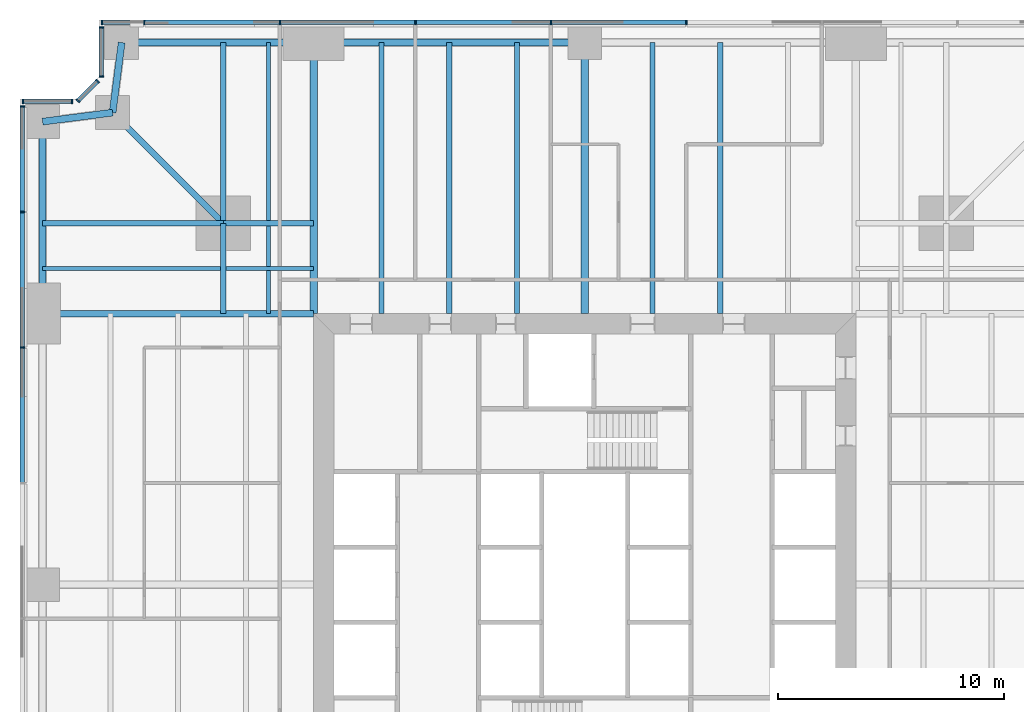
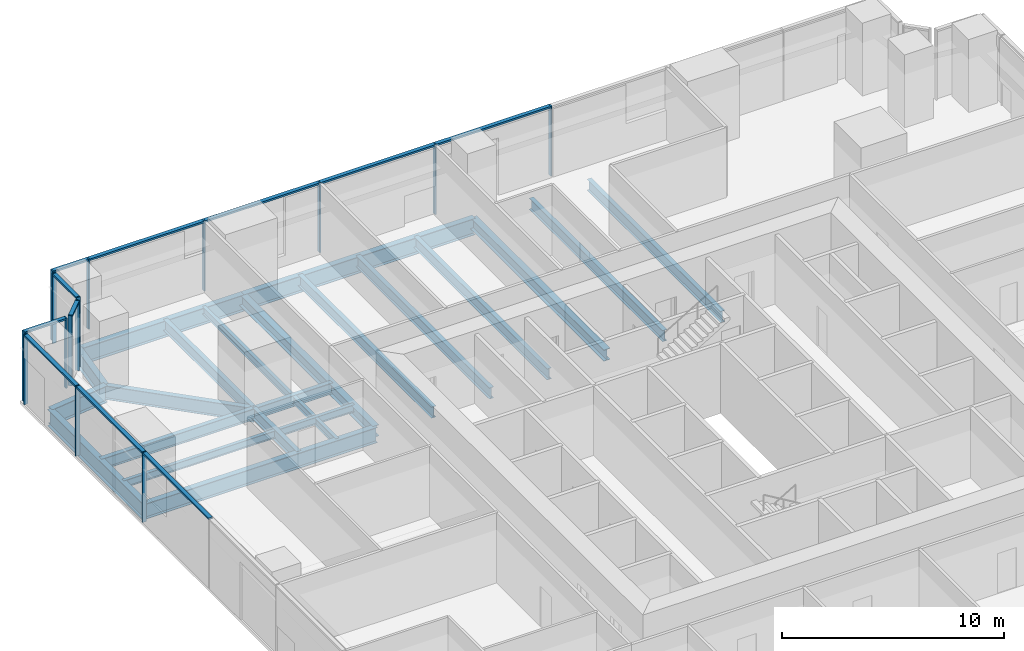
# One storey, part 6 of 14: 26 members, 23 beams, 5 elements without a shape of their own.
"""IFC4 building model written with IfcOpenShell, lengths in metres."""

from ifc_helpers import new_model, si_unit, direction, frame, origin, origin_2d, place, context, subcontext, project, spatial, rectangle, i_section, extrude, material, material_profile, profile_set, type_object, element, aggregate, save


model = new_model("IFC4")

# Units and contexts
model_context = context("Model", 3, precision=1e-05, world=origin(), true_north=direction((0.0, 1.0)))
body_context = subcontext(model_context, "Body", "Model", "MODEL_VIEW")
ifc_project = project(units=[si_unit("LENGTHUNIT", "METRE"), si_unit("AREAUNIT", "SQUARE_METRE"), si_unit("VOLUMEUNIT", "CUBIC_METRE"), si_unit("PLANEANGLEUNIT", "RADIAN"), si_unit("MASSUNIT", "GRAM", prefix="KILO")], contexts=[model_context])

# Site, building, storey
site_placement = place(None, origin())
site = spatial("IfcSite", under=ifc_project, at=site_placement, CompositionType="ELEMENT")
building_placement = place(site_placement, origin())
building = spatial("IfcBuilding", under=site, at=building_placement, Name="Fenwick Lantern Interchange", CompositionType="ELEMENT")
storey_placement = place(building_placement, frame((0.0, 0.0, 59.0)))
storey = spatial("IfcBuildingStorey", under=building, at=storey_placement, Name="L13", CompositionType="ELEMENT", Elevation=59.0)

# Beams
ifc_material_1 = material(Name="Steel ASTM A992 Grade 50", Category="steel")
ifc_material_profile_1 = material_profile(ifc_material_1, i_section(OverallWidth=0.3046875, OverallDepth=0.911865234375, WebThickness=0.015869140625, FlangeThickness=0.02392578125, at=origin_2d()), Name="W36X150")
ifc_profile_set_1 = profile_set([ifc_material_profile_1], Name="Steel ASTM A992 Grade 50")
beam_type_1 = type_object("IfcBeamType", Name="EDGE BEAM W36X150", PredefinedType="SPANDREL", material=ifc_profile_set_1)
beam_1_placement = place(storey_placement, frame((25.0, 49.0, -0.60595703125), z_axis=(-1.0, 0.0, 0.0), x_axis=(0.0, -1.0, 0.0)))
element("IfcBeam", 1, at=beam_1_placement, inside=storey, type_object=beam_type_1, Name="L13/FR/N/EB3", PredefinedType="SPANDREL", context=body_context, shape_type="SweptSolid", body=[
    extrude(i_section(OverallWidth=0.3046875, OverallDepth=0.911865234375, WebThickness=0.015869140625, FlangeThickness=0.02392578125, at=origin_2d()), origin(), (0.0, 0.0, 1.0), 12.0),
])
beam_2_placement = place(storey_placement, frame((13.0, 49.0, -0.60595703125), z_axis=(-1.0, 0.0, 0.0), x_axis=(0.0, -1.0, 0.0)))
element("IfcBeam", 2, at=beam_2_placement, inside=storey, type_object=beam_type_1, Name="L13/FR/N/EB4", PredefinedType="SPANDREL", context=body_context, shape_type="SweptSolid", body=[
    extrude(i_section(OverallWidth=0.3046875, OverallDepth=0.911865234375, WebThickness=0.015869140625, FlangeThickness=0.02392578125, at=origin_2d()), origin(), (0.0, 0.0, 1.0), 8.5),
])
for number, where, z_axis, x_axis, name in (
    (3, (4.5, 49.0, -0.60595703125), (-0.127936641807, -0.991782342897, 0.0), (0.991782342897, -0.127936641807, 0.0), "L13/FR/N/EBR1"),
    (4, (4.10009765625, 45.89990234375, -0.60595703125), (-0.991782342897, -0.127936641807, 0.0), (0.127936641807, -0.991782342897, 0.0), "L13/FR/N/EBR2"),
):
    element("IfcBeam", number, at=place(storey_placement, frame(where, z_axis=z_axis, x_axis=x_axis)), inside=storey, type_object=beam_type_1, Name=name, PredefinedType="SPANDREL", context=body_context, shape_type="SweptSolid", body=[
        extrude(i_section(OverallWidth=0.3046875, OverallDepth=0.911865234375, WebThickness=0.015869140625, FlangeThickness=0.02392578125, at=origin_2d()), origin(), (0.0, 0.0, 1.0), 3.125732421875),
    ])
beam_3_placement = place(storey_placement, frame((1.0, 45.5, -0.60595703125), z_axis=(0.0, -1.0, 0.0), x_axis=(1.0, 0.0, 0.0)))
element("IfcBeam", 5, at=beam_3_placement, inside=storey, type_object=beam_type_1, Name="L13/FR/W/EB1", PredefinedType="SPANDREL", context=body_context, shape_type="SweptSolid", body=[
    extrude(i_section(OverallWidth=0.3046875, OverallDepth=0.911865234375, WebThickness=0.015869140625, FlangeThickness=0.02392578125, at=origin_2d()), origin(), (0.0, 0.0, 1.0), 8.5),
])
ifc_material_profile_2 = material_profile(ifc_material_1, i_section(OverallWidth=0.22900390625, OverallDepth=0.612060546875, WebThickness=0.011962890625, FlangeThickness=0.01953125, at=origin_2d()), Name="W24X84")
ifc_profile_set_2 = profile_set([ifc_material_profile_2], Name="Steel ASTM A992 Grade 50")
beam_type_2 = type_object("IfcBeamType", Name="FLOOR BEAM W24X84", PredefinedType="BEAM", material=ifc_profile_set_2)
for number, where, z_axis, x_axis, name in (
    (6, (31.0, 49.0, -0.4560546875), (0.0, -1.0, 0.0), (1.0, 0.0, 0.0), "L13/FR/N/R03"),
    (7, (28.0, 49.0, -0.4560546875), (0.0, -1.0, 0.0), (1.0, 0.0, 0.0), "L13/FR/N/R04"),
    (8, (22.0, 49.0, -0.4560546875), (0.0, -1.0, 0.0), (1.0, 0.0, 0.0), "L13/FR/N/R06"),
    (9, (19.0, 49.0, -0.4560546875), (0.0, -1.0, 0.0), (1.0, 0.0, 0.0), "L13/FR/N/R07"),
    (10, (16.0, 49.0, -0.4560546875), (0.0, -1.0, 0.0), (1.0, 0.0, 0.0), "L13/FR/N/R08"),
):
    element("IfcBeam", number, at=place(storey_placement, frame(where, z_axis=z_axis, x_axis=x_axis)), inside=storey, type_object=beam_type_2, Name=name, PredefinedType="BEAM", context=body_context, shape_type="SweptSolid", body=[
        extrude(i_section(OverallWidth=0.22900390625, OverallDepth=0.612060546875, WebThickness=0.011962890625, FlangeThickness=0.01953125, at=origin_2d()), origin(), (0.0, 0.0, 1.0), 12.0),
    ])
ifc_material_profile_3 = material_profile(ifc_material_1, i_section(OverallWidth=0.177734375, OverallDepth=0.406494140625, WebThickness=0.0078125, FlangeThickness=0.012939453125, at=origin_2d()), Name="W16X40")
ifc_profile_set_3 = profile_set([ifc_material_profile_3], Name="Steel ASTM A992 Grade 50")
beam_type_3 = type_object("IfcBeamType", Name="INFILL BEAM W16X40", PredefinedType="JOIST", material=ifc_profile_set_3)
beam_4_placement = place(storey_placement, frame((1.0, 39.0, -0.353271484375), z_axis=(1.0, 0.0, 0.0), x_axis=(0.0, 1.0, 0.0)))
element("IfcBeam", 11, at=beam_4_placement, inside=storey, type_object=beam_type_3, Name="L13/FR/W/J1", PredefinedType="JOIST", context=body_context, shape_type="SweptSolid", body=[
    extrude(i_section(OverallWidth=0.177734375, OverallDepth=0.406494140625, WebThickness=0.0078125, FlangeThickness=0.012939453125, at=origin_2d()), origin(), (0.0, 0.0, 1.0), 7.885498046875),
])
beam_5_placement = place(storey_placement, frame((9.114501953125, 39.0, -0.353271484375), z_axis=(1.0, 0.0, 0.0), x_axis=(0.0, 1.0, 0.0)))
element("IfcBeam", 12, at=beam_5_placement, inside=storey, type_object=beam_type_3, Name="L13/FR/W/J2", PredefinedType="JOIST", context=body_context, shape_type="SweptSolid", body=[
    extrude(i_section(OverallWidth=0.177734375, OverallDepth=0.406494140625, WebThickness=0.0078125, FlangeThickness=0.012939453125, at=origin_2d()), origin(), (0.0, 0.0, 1.0), 3.885498046875),
])
beam_6_placement = place(storey_placement, frame((11.0, 49.0, -0.353271484375), z_axis=(0.0, -1.0, 0.0), x_axis=(1.0, 0.0, 0.0)))
element("IfcBeam", 13, at=beam_6_placement, inside=storey, type_object=beam_type_3, Name="L13/FR/W/J3", PredefinedType="JOIST", context=body_context, shape_type="SweptSolid", body=[
    extrude(i_section(OverallWidth=0.177734375, OverallDepth=0.406494140625, WebThickness=0.0078125, FlangeThickness=0.012939453125, at=origin_2d()), origin(), (0.0, 0.0, 1.0), 7.885498046875),
])
beam_7_placement = place(storey_placement, frame((11.0, 40.885498046875, -0.353271484375), z_axis=(0.0, -1.0, 0.0), x_axis=(1.0, 0.0, 0.0)))
element("IfcBeam", 14, at=beam_7_placement, inside=storey, type_object=beam_type_3, Name="L13/FR/W/J4", PredefinedType="JOIST", context=body_context, shape_type="SweptSolid", body=[
    extrude(i_section(OverallWidth=0.177734375, OverallDepth=0.406494140625, WebThickness=0.0078125, FlangeThickness=0.012939453125, at=origin_2d()), origin(), (0.0, 0.0, 1.0), 1.796630859375),
])
beam_8_placement = place(storey_placement, frame((11.0, 38.9111328125, -0.353271484375), z_axis=(0.0, -1.0, 0.0), x_axis=(1.0, 0.0, 0.0)))
element("IfcBeam", 15, at=beam_8_placement, inside=storey, type_object=beam_type_3, Name="L13/FR/W/J5", PredefinedType="JOIST", context=body_context, shape_type="SweptSolid", body=[
    extrude(i_section(OverallWidth=0.177734375, OverallDepth=0.406494140625, WebThickness=0.0078125, FlangeThickness=0.012939453125, at=origin_2d()), origin(), (0.0, 0.0, 1.0), 1.9111328125),
])
ifc_material_profile_4 = material_profile(ifc_material_1, i_section(OverallWidth=0.22900390625, OverallDepth=0.612060546875, WebThickness=0.011962890625, FlangeThickness=0.01953125, at=origin_2d()), Name="W24X84")
ifc_profile_set_4 = profile_set([ifc_material_profile_4], Name="Steel ASTM A992 Grade 50")
beam_type_4 = type_object("IfcBeamType", Name="MEGA COLUMN BEAM W24X84", PredefinedType="BEAM", material=ifc_profile_set_4)
for number, where, z_axis, x_axis, name in (
    (16, (9.0, 41.0, -0.4560546875), (-1.0, 0.0, 0.0), (0.0, -1.0, 0.0), "L13/FR/W/MB1"),
    (17, (9.0, 41.0, -0.4560546875), (0.0, 1.0, 0.0), (-1.0, 0.0, 0.0), "L13/FR/W/MB2"),
):
    element("IfcBeam", number, at=place(storey_placement, frame(where, z_axis=z_axis, x_axis=x_axis)), inside=storey, type_object=beam_type_4, Name=name, PredefinedType="BEAM", context=body_context, shape_type="SweptSolid", body=[
        extrude(i_section(OverallWidth=0.22900390625, OverallDepth=0.612060546875, WebThickness=0.011962890625, FlangeThickness=0.01953125, at=origin_2d()), origin(), (0.0, 0.0, 1.0), 8.0),
    ])
for number, where, z_axis, x_axis, name in (
    (18, (9.0, 41.0, -0.4560546875), (0.0, -1.0, 0.0), (1.0, 0.0, 0.0), "L13/FR/W/MB3"),
    (19, (9.0, 41.0, -0.4560546875), (1.0, 0.0, 0.0), (0.0, 1.0, 0.0), "L13/FR/W/MB4"),
):
    element("IfcBeam", number, at=place(storey_placement, frame(where, z_axis=z_axis, x_axis=x_axis)), inside=storey, type_object=beam_type_4, Name=name, PredefinedType="BEAM", context=body_context, shape_type="SweptSolid", body=[
        extrude(i_section(OverallWidth=0.22900390625, OverallDepth=0.612060546875, WebThickness=0.011962890625, FlangeThickness=0.01953125, at=origin_2d()), origin(), (0.0, 0.0, 1.0), 4.0),
    ])
ifc_material_profile_5 = material_profile(ifc_material_1, i_section(OverallWidth=0.32763671875, OverallDepth=0.622314453125, WebThickness=0.015380859375, FlangeThickness=0.0244140625, at=origin_2d()), Name="W24X131")
ifc_profile_set_5 = profile_set([ifc_material_profile_5], Name="Steel ASTM A992 Grade 50")
beam_type_5 = type_object("IfcBeamType", Name="MOMENT-CONNECTED GIRDER W24X131", PredefinedType="BEAM", material=ifc_profile_set_5)
for number, where, z_axis, x_axis, name in (
    (20, (25.0, 49.0, -0.461181640625), (0.0, -1.0, 0.0), (1.0, 0.0, 0.0), "L13/FR/N/R05"),
    (21, (13.0, 49.0, -0.461181640625), (0.0, -1.0, 0.0), (1.0, 0.0, 0.0), "L13/FR/N/R09"),
):
    element("IfcBeam", number, at=place(storey_placement, frame(where, z_axis=z_axis, x_axis=x_axis)), inside=storey, type_object=beam_type_5, Name=name, PredefinedType="BEAM", context=body_context, shape_type="SweptSolid", body=[
        extrude(i_section(OverallWidth=0.32763671875, OverallDepth=0.622314453125, WebThickness=0.015380859375, FlangeThickness=0.0244140625, at=origin_2d()), origin(), (0.0, 0.0, 1.0), 12.0),
    ])
ifc_material_profile_6 = material_profile(ifc_material_1, i_section(OverallWidth=0.2919921875, OverallDepth=0.845703125, WebThickness=0.015380859375, FlangeThickness=0.0244140625, at=origin_2d()), Name="W33X141")
ifc_profile_set_6 = profile_set([ifc_material_profile_6], Name="Steel ASTM A992 Grade 50")
beam_type_6 = type_object("IfcBeamType", Name="MOMENT-CONNECTED GIRDER W33X141", PredefinedType="BEAM", material=ifc_profile_set_6)
beam_9_placement = place(storey_placement, frame((1.0, 37.0, -0.572998046875), z_axis=(1.0, 0.0, 0.0), x_axis=(0.0, 1.0, 0.0)))
element("IfcBeam", 22, at=beam_9_placement, inside=storey, type_object=beam_type_6, Name="L13/FR/W/R01", PredefinedType="BEAM", context=body_context, shape_type="SweptSolid", body=[
    extrude(i_section(OverallWidth=0.2919921875, OverallDepth=0.845703125, WebThickness=0.015380859375, FlangeThickness=0.0244140625, at=origin_2d()), origin(), (0.0, 0.0, 1.0), 12.0),
])
ifc_material_profile_7 = material_profile(ifc_material_1, i_section(OverallWidth=0.2666015625, OverallDepth=0.7568359375, WebThickness=0.013916015625, FlangeThickness=0.019287109375, at=origin_2d()), Name="W30X108")
ifc_profile_set_7 = profile_set([ifc_material_profile_7], Name="Steel ASTM A992 Grade 50")
beam_type_7 = type_object("IfcBeamType", Name="NOTCH BEAM W30X108", PredefinedType="BEAM", material=ifc_profile_set_7)
beam_10_placement = place(storey_placement, frame((9.0, 41.0, -0.528564453125), z_axis=(-0.707106781187, 0.707106781187, 0.0), x_axis=(-0.707106781187, -0.707106781187, 0.0)))
element("IfcBeam", 23, at=beam_10_placement, inside=storey, type_object=beam_type_7, Name="L13/FR/W/TG", PredefinedType="BEAM", context=body_context, shape_type="SweptSolid", body=[
    extrude(i_section(OverallWidth=0.2666015625, OverallDepth=0.7568359375, WebThickness=0.013916015625, FlangeThickness=0.019287109375, at=origin_2d()), origin(), (0.0, 0.0, 1.0), 6.929443359375),
])

# Curtain wall, members
ifc_material_2 = material(Name="Aluminium curtain wall frame", Category="aluminium")
curtain_wall_type = type_object("IfcCurtainWallType", Name="OFFICE CURTAIN WALL", PredefinedType="USERDEFINED", material=ifc_material_2)
curtain_wall_1_placement = place(storey_placement, origin())
curtain_wall_1 = element("IfcCurtainWall", 24, at=curtain_wall_1_placement, inside=storey, type_object=curtain_wall_type, Name="Office curtain wall 09", ObjectType="OFFICE CURTAIN WALL", PredefinedType="USERDEFINED")
ifc_material_3 = material(Name="Aluminium extrusion", Category="aluminium")
ifc_material_profile_8 = material_profile(ifc_material_3, rectangle(XDim=0.199951171875, YDim=0.06494140625, at=origin_2d()), Name="OFFICE CURTAIN WALL MULLION 65 X 200")
ifc_profile_set_8 = profile_set([ifc_material_profile_8], Name="Aluminium extrusion")
member_type_1 = type_object("IfcMemberType", Name="OFFICE CURTAIN WALL MULLION 65 X 200", PredefinedType="MULLION", material=ifc_profile_set_8)
member_1_placement = place(storey_placement, frame((29.5, 49.89990234375, 0.0), z_axis=(0.0, 0.0, 1.0), x_axis=(0.0, -1.0, 0.0)))
member_1 = element("IfcMember", 25, at=member_1_placement, type_object=member_type_1, Name="L13/CW/09/M03", PredefinedType="MULLION", context=body_context, shape_type="SweptSolid", body=[
    extrude(rectangle(XDim=0.199951171875, YDim=0.06494140625, at=origin_2d()), origin(), (0.0, 0.0, 1.0), 3.85009765625),
])
member_2_placement = place(storey_placement, frame((23.5, 49.89990234375, 0.0), z_axis=(0.0, 0.0, 1.0), x_axis=(0.0, -1.0, 0.0)))
member_2 = element("IfcMember", 26, at=member_2_placement, type_object=member_type_1, Name="L13/CW/09/M04", PredefinedType="MULLION", context=body_context, shape_type="SweptSolid", body=[
    extrude(rectangle(XDim=0.199951171875, YDim=0.06494140625, at=origin_2d()), origin(), (0.0, 0.0, 1.0), 3.85009765625),
])
member_3_placement = place(storey_placement, frame((17.5, 49.89990234375, 0.0), z_axis=(0.0, 0.0, 1.0), x_axis=(0.0, -1.0, 0.0)))
member_3 = element("IfcMember", 27, at=member_3_placement, type_object=member_type_1, Name="L13/CW/09/M05", PredefinedType="MULLION", context=body_context, shape_type="SweptSolid", body=[
    extrude(rectangle(XDim=0.199951171875, YDim=0.06494140625, at=origin_2d()), origin(), (0.0, 0.0, 1.0), 3.85009765625),
])
member_4_placement = place(storey_placement, frame((11.5, 49.89990234375, 0.0), z_axis=(0.0, 0.0, 1.0), x_axis=(0.0, -1.0, 0.0)))
member_4 = element("IfcMember", 28, at=member_4_placement, type_object=member_type_1, Name="L13/CW/09/M06", PredefinedType="MULLION", context=body_context, shape_type="SweptSolid", body=[
    extrude(rectangle(XDim=0.199951171875, YDim=0.06494140625, at=origin_2d()), origin(), (0.0, 0.0, 1.0), 3.85009765625),
])
member_5_placement = place(storey_placement, frame((5.5, 49.89990234375, 0.0), z_axis=(0.0, 0.0, 1.0), x_axis=(0.0, -1.0, 0.0)))
member_5 = element("IfcMember", 29, at=member_5_placement, type_object=member_type_1, Name="L13/CW/09/M07", PredefinedType="MULLION", context=body_context, shape_type="SweptSolid", body=[
    extrude(rectangle(XDim=0.199951171875, YDim=0.06494140625, at=origin_2d()), origin(), (0.0, 0.0, 1.0), 3.85009765625),
])
member_6_placement = place(storey_placement, frame((3.632568359375, 49.89990234375, 0.0), z_axis=(0.0, 0.0, 1.0), x_axis=(0.0, -1.0, 0.0)))
member_6 = element("IfcMember", 30, at=member_6_placement, type_object=member_type_1, Name="L13/CW/09/M08", PredefinedType="MULLION", context=body_context, shape_type="SweptSolid", body=[
    extrude(rectangle(XDim=0.199951171875, YDim=0.06494140625, at=origin_2d()), origin(), (0.0, 0.0, 1.0), 3.85009765625),
])

curtain_wall_2_placement = place(storey_placement, origin())
curtain_wall_2 = element("IfcCurtainWall", 31, at=curtain_wall_2_placement, inside=storey, type_object=curtain_wall_type, Name="Office curtain wall 10", ObjectType="OFFICE CURTAIN WALL", PredefinedType="USERDEFINED")
member_7_placement = place(storey_placement, frame((3.60009765625, 49.66748046875, 0.0), z_axis=(0.0, 0.0, 1.0), x_axis=(1.0, 0.0, 0.0)))
member_7 = element("IfcMember", 32, at=member_7_placement, type_object=member_type_1, Name="L13/CW/10/M00", PredefinedType="MULLION", context=body_context, shape_type="SweptSolid", body=[
    extrude(rectangle(XDim=0.199951171875, YDim=0.06494140625, at=origin_2d()), origin(), (0.0, 0.0, 1.0), 3.85009765625),
])
member_8_placement = place(storey_placement, frame((3.60009765625, 47.490966796875, 0.0), z_axis=(0.0, 0.0, 1.0), x_axis=(1.0, 0.0, 0.0)))
member_8 = element("IfcMember", 33, at=member_8_placement, type_object=member_type_1, Name="L13/CW/10/M01", PredefinedType="MULLION", context=body_context, shape_type="SweptSolid", body=[
    extrude(rectangle(XDim=0.199951171875, YDim=0.06494140625, at=origin_2d()), origin(), (0.0, 0.0, 1.0), 3.85009765625),
])

curtain_wall_3_placement = place(storey_placement, origin())
curtain_wall_3 = element("IfcCurtainWall", 34, at=curtain_wall_3_placement, inside=storey, type_object=curtain_wall_type, Name="Office curtain wall 11", ObjectType="OFFICE CURTAIN WALL", PredefinedType="USERDEFINED")
member_9_placement = place(storey_placement, frame((3.435546875, 47.294189453125, 0.0), z_axis=(0.0, 0.0, 1.0), x_axis=(0.707106781187, -0.707106781187, 0.0)))
member_9 = element("IfcMember", 35, at=member_9_placement, type_object=member_type_1, Name="L13/CW/11/M00", PredefinedType="MULLION", context=body_context, shape_type="SweptSolid", body=[
    extrude(rectangle(XDim=0.199951171875, YDim=0.06494140625, at=origin_2d()), origin(), (0.0, 0.0, 1.0), 3.85009765625),
])
member_10_placement = place(storey_placement, frame((2.564453125, 46.423095703125, 0.0), z_axis=(0.0, 0.0, 1.0), x_axis=(0.707106781187, -0.707106781187, 0.0)))
member_10 = element("IfcMember", 36, at=member_10_placement, type_object=member_type_1, Name="L13/CW/11/M01", PredefinedType="MULLION", context=body_context, shape_type="SweptSolid", body=[
    extrude(rectangle(XDim=0.199951171875, YDim=0.06494140625, at=origin_2d()), origin(), (0.0, 0.0, 1.0), 3.85009765625),
])

curtain_wall_4_placement = place(storey_placement, origin())
curtain_wall_4 = element("IfcCurtainWall", 37, at=curtain_wall_4_placement, inside=storey, type_object=curtain_wall_type, Name="Office curtain wall 12", ObjectType="OFFICE CURTAIN WALL", PredefinedType="USERDEFINED")
member_11_placement = place(storey_placement, frame((2.308837890625, 46.39990234375, 0.0), z_axis=(0.0, 0.0, 1.0), x_axis=(0.0, -1.0, 0.0)))
member_11 = element("IfcMember", 38, at=member_11_placement, type_object=member_type_1, Name="L13/CW/12/M00", PredefinedType="MULLION", context=body_context, shape_type="SweptSolid", body=[
    extrude(rectangle(XDim=0.199951171875, YDim=0.06494140625, at=origin_2d()), origin(), (0.0, 0.0, 1.0), 3.85009765625),
])
member_12_placement = place(storey_placement, frame((0.132568359375, 46.39990234375, 0.0), z_axis=(0.0, 0.0, 1.0), x_axis=(0.0, -1.0, 0.0)))
member_12 = element("IfcMember", 39, at=member_12_placement, type_object=member_type_1, Name="L13/CW/12/M01", PredefinedType="MULLION", context=body_context, shape_type="SweptSolid", body=[
    extrude(rectangle(XDim=0.199951171875, YDim=0.06494140625, at=origin_2d()), origin(), (0.0, 0.0, 1.0), 3.85009765625),
])

curtain_wall_5_placement = place(storey_placement, origin())
curtain_wall_5 = element("IfcCurtainWall", 40, at=curtain_wall_5_placement, inside=storey, type_object=curtain_wall_type, Name="Office curtain wall 13", ObjectType="OFFICE CURTAIN WALL", PredefinedType="USERDEFINED")
member_13_placement = place(storey_placement, frame((0.10009765625, 46.16748046875, 0.0), z_axis=(0.0, 0.0, 1.0), x_axis=(1.0, 0.0, 0.0)))
member_13 = element("IfcMember", 41, at=member_13_placement, type_object=member_type_1, Name="L13/CW/13/M00", PredefinedType="MULLION", context=body_context, shape_type="SweptSolid", body=[
    extrude(rectangle(XDim=0.199951171875, YDim=0.06494140625, at=origin_2d()), origin(), (0.0, 0.0, 1.0), 3.85009765625),
])
member_14_placement = place(storey_placement, frame((0.10009765625, 41.5, 0.0), z_axis=(0.0, 0.0, 1.0), x_axis=(1.0, 0.0, 0.0)))
member_14 = element("IfcMember", 42, at=member_14_placement, type_object=member_type_1, Name="L13/CW/13/M01", PredefinedType="MULLION", context=body_context, shape_type="SweptSolid", body=[
    extrude(rectangle(XDim=0.199951171875, YDim=0.06494140625, at=origin_2d()), origin(), (0.0, 0.0, 1.0), 3.85009765625),
])
member_15_placement = place(storey_placement, frame((0.10009765625, 35.5, 0.0), z_axis=(0.0, 0.0, 1.0), x_axis=(1.0, 0.0, 0.0)))
member_15 = element("IfcMember", 43, at=member_15_placement, type_object=member_type_1, Name="L13/CW/13/M02", PredefinedType="MULLION", context=body_context, shape_type="SweptSolid", body=[
    extrude(rectangle(XDim=0.199951171875, YDim=0.06494140625, at=origin_2d()), origin(), (0.0, 0.0, 1.0), 3.85009765625),
])

# Member
ifc_material_profile_9 = material_profile(ifc_material_3, rectangle(XDim=0.199951171875, YDim=0.10009765625, at=origin_2d()), Name="OFFICE CURTAIN WALL TRANSOM 100 X 200")
ifc_profile_set_9 = profile_set([ifc_material_profile_9], Name="Aluminium extrusion")
member_type_2 = type_object("IfcMemberType", Name="OFFICE CURTAIN WALL TRANSOM 100 X 200", PredefinedType="MULLION", material=ifc_profile_set_9)
member_16_placement = place(storey_placement, frame((29.467529296875, 49.89990234375, 3.800048828125), z_axis=(-1.0, 0.0, 0.0), x_axis=(0.0, -1.0, 0.0)))
member_16 = element("IfcMember", 44, at=member_16_placement, type_object=member_type_2, Name="L13/CW/09/T03", PredefinedType="MULLION", context=body_context, shape_type="SweptSolid", body=[
    extrude(rectangle(XDim=0.199951171875, YDim=0.10009765625, at=origin_2d()), origin(), (0.0, 0.0, 1.0), 5.93505859375),
])

member_17_placement = place(storey_placement, frame((23.467529296875, 49.89990234375, 3.800048828125), z_axis=(-1.0, 0.0, 0.0), x_axis=(0.0, -1.0, 0.0)))
member_17 = element("IfcMember", 45, at=member_17_placement, type_object=member_type_2, Name="L13/CW/09/T04", PredefinedType="MULLION", context=body_context, shape_type="SweptSolid", body=[
    extrude(rectangle(XDim=0.199951171875, YDim=0.10009765625, at=origin_2d()), origin(), (0.0, 0.0, 1.0), 5.93505859375),
])

member_18_placement = place(storey_placement, frame((17.467529296875, 49.89990234375, 3.800048828125), z_axis=(-1.0, 0.0, 0.0), x_axis=(0.0, -1.0, 0.0)))
member_18 = element("IfcMember", 46, at=member_18_placement, type_object=member_type_2, Name="L13/CW/09/T05", PredefinedType="MULLION", context=body_context, shape_type="SweptSolid", body=[
    extrude(rectangle(XDim=0.199951171875, YDim=0.10009765625, at=origin_2d()), origin(), (0.0, 0.0, 1.0), 5.93505859375),
])

member_19_placement = place(storey_placement, frame((11.467529296875, 49.89990234375, 3.800048828125), z_axis=(-1.0, 0.0, 0.0), x_axis=(0.0, -1.0, 0.0)))
member_19 = element("IfcMember", 47, at=member_19_placement, type_object=member_type_2, Name="L13/CW/09/T06", PredefinedType="MULLION", context=body_context, shape_type="SweptSolid", body=[
    extrude(rectangle(XDim=0.199951171875, YDim=0.10009765625, at=origin_2d()), origin(), (0.0, 0.0, 1.0), 5.93505859375),
])

member_20_placement = place(storey_placement, frame((5.467529296875, 49.89990234375, 3.800048828125), z_axis=(-1.0, 0.0, 0.0), x_axis=(0.0, -1.0, 0.0)))
member_20 = element("IfcMember", 48, at=member_20_placement, type_object=member_type_2, Name="L13/CW/09/T07", PredefinedType="MULLION", context=body_context, shape_type="SweptSolid", body=[
    extrude(rectangle(XDim=0.199951171875, YDim=0.10009765625, at=origin_2d()), origin(), (0.0, 0.0, 1.0), 1.802490234375),
])

aggregate(curtain_wall_1, [member_1, member_2, member_3, member_4, member_5, member_6, member_16, member_17, member_18, member_19, member_20])

member_21_placement = place(storey_placement, frame((3.60009765625, 49.635009765625, 3.800048828125), z_axis=(0.0, -1.0, 0.0), x_axis=(1.0, 0.0, 0.0)))
member_21 = element("IfcMember", 49, at=member_21_placement, type_object=member_type_2, Name="L13/CW/10/T00", PredefinedType="MULLION", context=body_context, shape_type="SweptSolid", body=[
    extrude(rectangle(XDim=0.199951171875, YDim=0.10009765625, at=origin_2d()), origin(), (0.0, 0.0, 1.0), 2.111328125),
])

aggregate(curtain_wall_2, [member_7, member_8, member_21])

member_22_placement = place(storey_placement, frame((3.41259765625, 47.271240234375, 3.800048828125), z_axis=(-0.707106781187, -0.707106781187, 0.0), x_axis=(0.707106781187, -0.707106781187, 0.0)))
member_22 = element("IfcMember", 50, at=member_22_placement, type_object=member_type_2, Name="L13/CW/11/T00", PredefinedType="MULLION", context=body_context, shape_type="SweptSolid", body=[
    extrude(rectangle(XDim=0.199951171875, YDim=0.10009765625, at=origin_2d()), origin(), (0.0, 0.0, 1.0), 1.1669921875),
])

aggregate(curtain_wall_3, [member_9, member_10, member_22])

member_23_placement = place(storey_placement, frame((2.2763671875, 46.39990234375, 3.800048828125), z_axis=(-1.0, 0.0, 0.0), x_axis=(0.0, -1.0, 0.0)))
member_23 = element("IfcMember", 51, at=member_23_placement, type_object=member_type_2, Name="L13/CW/12/T00", PredefinedType="MULLION", context=body_context, shape_type="SweptSolid", body=[
    extrude(rectangle(XDim=0.199951171875, YDim=0.10009765625, at=origin_2d()), origin(), (0.0, 0.0, 1.0), 2.111328125),
])

aggregate(curtain_wall_4, [member_11, member_12, member_23])

member_24_placement = place(storey_placement, frame((0.10009765625, 46.135009765625, 3.800048828125), z_axis=(0.0, -1.0, 0.0), x_axis=(1.0, 0.0, 0.0)))
member_24 = element("IfcMember", 52, at=member_24_placement, type_object=member_type_2, Name="L13/CW/13/T00", PredefinedType="MULLION", context=body_context, shape_type="SweptSolid", body=[
    extrude(rectangle(XDim=0.199951171875, YDim=0.10009765625, at=origin_2d()), origin(), (0.0, 0.0, 1.0), 4.6025390625),
])

member_25_placement = place(storey_placement, frame((0.10009765625, 41.467529296875, 3.800048828125), z_axis=(0.0, -1.0, 0.0), x_axis=(1.0, 0.0, 0.0)))
member_25 = element("IfcMember", 53, at=member_25_placement, type_object=member_type_2, Name="L13/CW/13/T01", PredefinedType="MULLION", context=body_context, shape_type="SweptSolid", body=[
    extrude(rectangle(XDim=0.199951171875, YDim=0.10009765625, at=origin_2d()), origin(), (0.0, 0.0, 1.0), 5.93505859375),
])

member_26_placement = place(storey_placement, frame((0.10009765625, 35.467529296875, 3.800048828125), z_axis=(0.0, -1.0, 0.0), x_axis=(1.0, 0.0, 0.0)))
member_26 = element("IfcMember", 54, at=member_26_placement, type_object=member_type_2, Name="L13/CW/13/T02", PredefinedType="MULLION", context=body_context, shape_type="SweptSolid", body=[
    extrude(rectangle(XDim=0.199951171875, YDim=0.10009765625, at=origin_2d()), origin(), (0.0, 0.0, 1.0), 5.93505859375),
])

aggregate(curtain_wall_5, [member_13, member_14, member_15, member_24, member_25, member_26])

save(model, "model.ifc")
